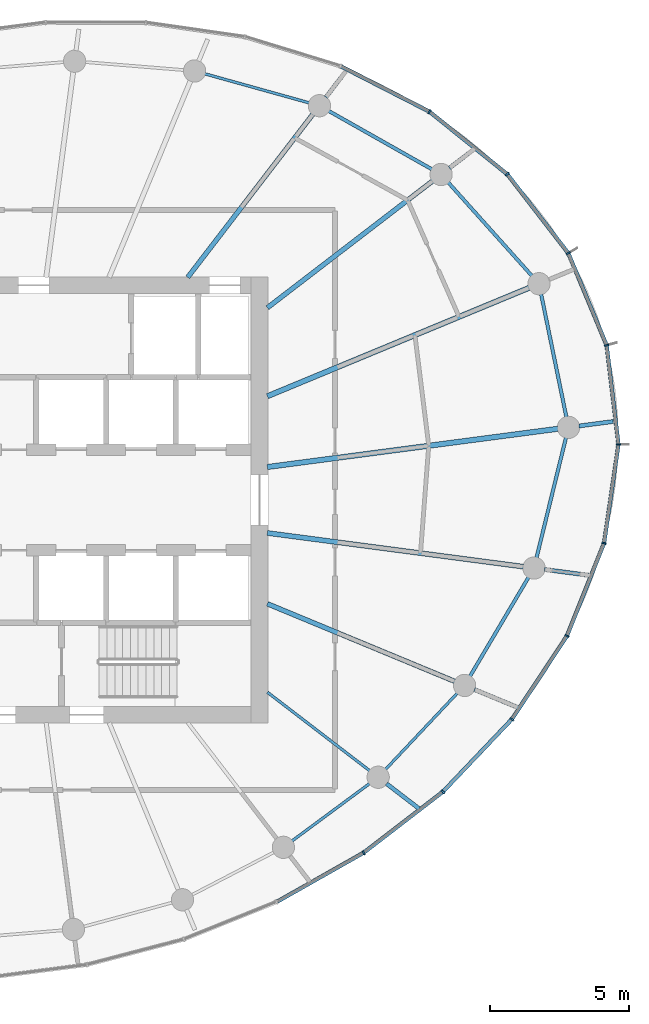
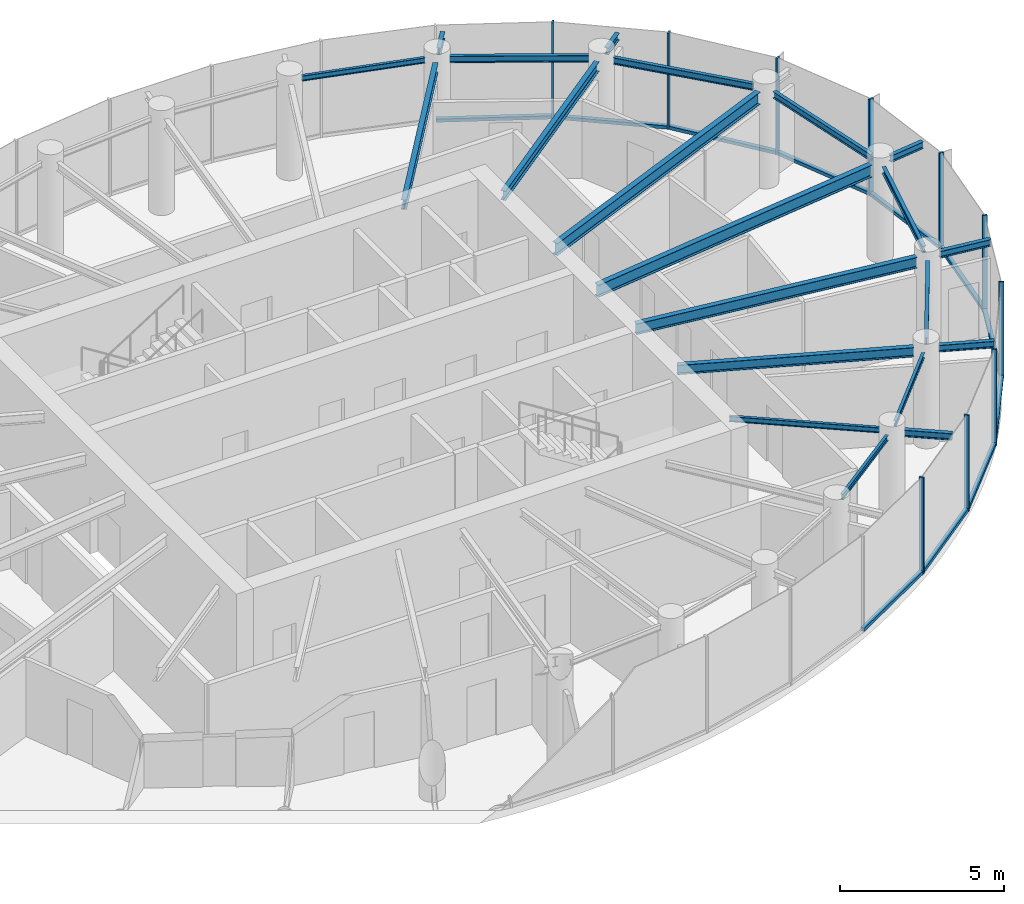
# One storey, part 5 of 13: 21 beams, 21 members, 3 elements without a shape of their own.
"""IFC4 building model written with IfcOpenShell, lengths in metres."""

from ifc_helpers import new_model, si_unit, direction, frame, origin, origin_2d, place, context, subcontext, project, spatial, rectangle, i_section, extrude, source, transform, mapped, material, layer, layer_set, material_profile, profile_set, type_object, element, aggregate, save


model = new_model("IFC4")

# Units and contexts
model_context = context("Model", 3, precision=1e-05, world=origin(), true_north=direction((0.0, 1.0)))
body_context = subcontext(model_context, "Body", "Model", "MODEL_VIEW")
ifc_project = project(units=[si_unit("LENGTHUNIT", "METRE"), si_unit("AREAUNIT", "SQUARE_METRE"), si_unit("VOLUMEUNIT", "CUBIC_METRE"), si_unit("PLANEANGLEUNIT", "RADIAN"), si_unit("MASSUNIT", "GRAM", prefix="KILO")], contexts=[model_context])

# Site, building, storey
site_placement = place(None, origin())
site = spatial("IfcSite", under=ifc_project, at=site_placement, CompositionType="ELEMENT")
building_placement = place(site_placement, origin())
building = spatial("IfcBuilding", under=site, at=building_placement, Name="Spindrift Exchange Tower", CompositionType="ELEMENT")
storey_placement = place(building_placement, frame((0.0, 0.0, 257.89990234375)))
storey = spatial("IfcBuildingStorey", under=building, at=storey_placement, Name="L63", CompositionType="ELEMENT", Elevation=257.89990234375)

# Beams
ifc_material_1 = material(Name="Steel Grade 300", Category="steel")
ifc_material_profile_1 = material_profile(ifc_material_1, i_section(OverallWidth=0.18994140625, OverallDepth=0.4541015625, WebThickness=0.008544921875, FlangeThickness=0.0126953125, FilletRadius=0.013916015625, at=origin_2d()), Name="460UB67.1")
ifc_profile_set_1 = profile_set([ifc_material_profile_1], Name="Steel Grade 300")
beam_type_1 = type_object("IfcBeamType", Name="Floor Beam 460UB67.1 Steel Grade 300", PredefinedType="BEAM", material=ifc_profile_set_1)
shared_shape_1 = source(origin(), body_context, "Body", "SweptSolid", [
    extrude(i_section(OverallWidth=0.18994140625, OverallDepth=0.4541015625, WebThickness=0.008544921875, FlangeThickness=0.0126953125, FilletRadius=0.013916015625, at=origin_2d()), origin(), (0.0, 0.0, 1.0), 10.510009765625),
])
beam_1_placement = place(storey_placement, frame((60.980224609375, 49.182373046875, 3.35302734375), z_axis=(0.991445042488, 0.130524816516, 0.0), x_axis=(-0.130524816516, 0.991445042488, 0.0)))
element("IfcBeam", 1, at=beam_1_placement, inside=storey, type_object=beam_type_1, Name="L63 radial beam R01A", PredefinedType="BEAM", context=body_context, shape_type="MappedRepresentation", body=[
    mapped(shared_shape_1, transform((0.0, 0.0, 0.0), scale=1.0)),
])
shared_shape_2 = source(origin(), body_context, "Body", "SweptSolid", [
    extrude(i_section(OverallWidth=0.18994140625, OverallDepth=0.4541015625, WebThickness=0.008544921875, FlangeThickness=0.0126953125, FilletRadius=0.013916015625, at=origin_2d()), origin(), (0.0, 0.0, 1.0), 10.160400390625),
])
beam_2_placement = place(storey_placement, frame((60.9814453125, 51.72021484375, 3.35302734375), z_axis=(0.923880358773, 0.382681437588, 0.0), x_axis=(-0.382681437588, 0.923880358773, 0.0)))
element("IfcBeam", 2, at=beam_2_placement, inside=storey, type_object=beam_type_1, Name="L63 radial beam R02A", PredefinedType="BEAM", context=body_context, shape_type="MappedRepresentation", body=[
    mapped(shared_shape_2, transform((0.0, 0.0, 0.0), scale=1.0)),
])
ifc_material_profile_2 = material_profile(ifc_material_1, i_section(OverallWidth=0.1708984375, OverallDepth=0.35205078125, WebThickness=0.0068359375, FlangeThickness=0.009765625, FilletRadius=0.013916015625, at=origin_2d()), Name="360UB44.7")
ifc_profile_set_2 = profile_set([ifc_material_profile_2], Name="Steel Grade 300")
beam_type_2 = type_object("IfcBeamType", Name="Floor Beam 360UB44.7 Steel Grade 300", PredefinedType="BEAM", material=ifc_profile_set_2)
shared_shape_3 = source(origin(), body_context, "Body", "SweptSolid", [
    extrude(i_section(OverallWidth=0.1708984375, OverallDepth=0.35205078125, WebThickness=0.0068359375, FlangeThickness=0.009765625, FilletRadius=0.013916015625, at=origin_2d()), origin(), (0.0, 0.0, 1.0), 7.466796875),
])
beam_3_placement = place(storey_placement, frame((60.984130859375, 54.893798828125, 3.404052734375), z_axis=(0.793360004804, 0.608752743548, 0.0), x_axis=(-0.608752743548, 0.793360004804, 0.0)))
element("IfcBeam", 3, at=beam_3_placement, inside=storey, type_object=beam_type_2, Name="L63 radial beam R03A", PredefinedType="BEAM", context=body_context, shape_type="MappedRepresentation", body=[
    mapped(shared_shape_3, transform((0.0, 0.0, 0.0), scale=1.0)),
])
shared_shape_4 = source(origin(), body_context, "Body", "SweptSolid", [
    extrude(i_section(OverallWidth=0.1708984375, OverallDepth=0.35205078125, WebThickness=0.0068359375, FlangeThickness=0.009765625, FilletRadius=0.013916015625, at=origin_2d()), origin(), (0.0, 0.0, 1.0), 7.3740234375),
])
beam_4_placement = place(storey_placement, frame((58.12646484375, 55.984130859375, 3.404052734375), z_axis=(0.608751913917, 0.793360641387, 0.0), x_axis=(-0.793360641387, 0.608751913917, 0.0)))
element("IfcBeam", 4, at=beam_4_placement, inside=storey, type_object=beam_type_2, Name="L63 radial beam R04A", PredefinedType="BEAM", context=body_context, shape_type="MappedRepresentation", body=[
    mapped(shared_shape_4, transform((0.0, 0.0, 0.0), scale=1.0)),
])
ifc_material_profile_3 = material_profile(ifc_material_1, i_section(OverallWidth=0.09912109375, OverallDepth=0.197998046875, WebThickness=0.00439453125, FlangeThickness=0.007080078125, FilletRadius=0.010986328125, at=origin_2d()), Name="200UB18.2")
ifc_profile_set_3 = profile_set([ifc_material_profile_3], Name="Steel Grade 300")
beam_type_3 = type_object("IfcBeamType", Name="Floor Beam 200UB18.2 Steel Grade 300", PredefinedType="BEAM", material=ifc_profile_set_3)
shared_shape_5 = source(origin(), body_context, "Body", "SweptSolid", [
    extrude(i_section(OverallWidth=0.09912109375, OverallDepth=0.197998046875, WebThickness=0.00439453125, FlangeThickness=0.007080078125, FilletRadius=0.010986328125, at=origin_2d()), origin(), (0.0, 0.0, 1.0), 4.622802734375),
])
beam_5_placement = place(storey_placement, frame((60.984130859375, 41.106201171875, 3.481201171875), z_axis=(0.793347882225, -0.608768542033, 0.0), x_axis=(0.608768542033, 0.793347882225, 0.0)))
element("IfcBeam", 5, at=beam_5_placement, inside=storey, type_object=beam_type_3, Name="L63 radial beam R22A", PredefinedType="BEAM", context=body_context, shape_type="MappedRepresentation", body=[
    mapped(shared_shape_5, transform((0.0, 0.0, 0.0), scale=1.0)),
])
shared_shape_6 = source(origin(), body_context, "Body", "SweptSolid", [
    extrude(i_section(OverallWidth=0.1708984375, OverallDepth=0.35205078125, WebThickness=0.0068359375, FlangeThickness=0.009765625, FilletRadius=0.013916015625, at=origin_2d()), origin(), (0.0, 0.0, 1.0), 7.272705078125),
])
beam_6_placement = place(storey_placement, frame((60.9814453125, 44.27978515625, 3.404052734375), z_axis=(0.923874446092, -0.382695711836, 0.0), x_axis=(0.382695711836, 0.923874446092, 0.0)))
element("IfcBeam", 6, at=beam_6_placement, inside=storey, type_object=beam_type_2, Name="L63 radial beam R23A", PredefinedType="BEAM", context=body_context, shape_type="MappedRepresentation", body=[
    mapped(shared_shape_6, transform((0.0, 0.0, 0.0), scale=1.0)),
])
ifc_material_profile_4 = material_profile(ifc_material_1, i_section(OverallWidth=0.177978515625, OverallDepth=0.403076171875, WebThickness=0.007568359375, FlangeThickness=0.010986328125, FilletRadius=0.013916015625, at=origin_2d()), Name="410UB53.7")
ifc_profile_set_4 = profile_set([ifc_material_profile_4], Name="Steel Grade 300")
beam_type_4 = type_object("IfcBeamType", Name="Floor Beam 410UB53.7 Steel Grade 300", PredefinedType="BEAM", material=ifc_profile_set_4)
shared_shape_7 = source(origin(), body_context, "Body", "SweptSolid", [
    extrude(i_section(OverallWidth=0.177978515625, OverallDepth=0.403076171875, WebThickness=0.007568359375, FlangeThickness=0.010986328125, FilletRadius=0.013916015625, at=origin_2d()), origin(), (0.0, 0.0, 1.0), 9.261962890625),
])
beam_7_placement = place(storey_placement, frame((60.980224609375, 46.817626953125, 3.378662109375), z_axis=(0.991447744872, -0.130504288008, 0.0), x_axis=(0.130504288008, 0.991447744872, 0.0)))
element("IfcBeam", 7, at=beam_7_placement, inside=storey, type_object=beam_type_4, Name="L63 radial beam R24A", PredefinedType="BEAM", context=body_context, shape_type="MappedRepresentation", body=[
    mapped(shared_shape_7, transform((0.0, 0.0, 0.0), scale=1.0)),
])
ifc_material_profile_5 = material_profile(ifc_material_1, i_section(OverallWidth=0.1240234375, OverallDepth=0.248046875, WebThickness=0.0048828125, FlangeThickness=0.008056640625, FilletRadius=0.011962890625, at=origin_2d()), Name="250UB25.7")
ifc_profile_set_5 = profile_set([ifc_material_profile_5], Name="Steel Grade 300")
beam_type_5 = type_object("IfcBeamType", Name="Edge Beam 250UB25.7 Steel Grade 300", PredefinedType="SPANDREL", material=ifc_profile_set_5)
shared_shape_8 = source(origin(), body_context, "Body", "SweptSolid", [
    extrude(i_section(OverallWidth=0.1240234375, OverallDepth=0.248046875, WebThickness=0.0048828125, FlangeThickness=0.008056640625, FilletRadius=0.011962890625, at=origin_2d()), origin(), (0.0, 0.0, 1.0), 4.497802734375),
])
beam_8_placement = place(storey_placement, frame((71.700927734375, 50.975830078125, 3.4560546875), z_axis=(-0.201217935785, 0.979546498293, 0.0), x_axis=(-0.979546498293, -0.201217935785, 0.0)))
element("IfcBeam", 8, at=beam_8_placement, inside=storey, type_object=beam_type_5, Name="L63 edge beam E01", PredefinedType="SPANDREL", context=body_context, shape_type="MappedRepresentation", body=[
    mapped(shared_shape_8, transform((0.0, 0.0, 0.0), scale=1.0)),
])
shared_shape_9 = source(origin(), body_context, "Body", "SweptSolid", [
    extrude(i_section(OverallWidth=0.1240234375, OverallDepth=0.248046875, WebThickness=0.0048828125, FlangeThickness=0.008056640625, FilletRadius=0.011962890625, at=origin_2d()), origin(), (0.0, 0.0, 1.0), 4.499755859375),
])
beam_9_placement = place(storey_placement, frame((70.466064453125, 56.036865234375, 3.4560546875), z_axis=(-0.667419502646, 0.744681950558, 0.0), x_axis=(-0.744681950558, -0.667419502646, 0.0)))
element("IfcBeam", 9, at=beam_9_placement, inside=storey, type_object=beam_type_5, Name="L63 edge beam E02", PredefinedType="SPANDREL", context=body_context, shape_type="MappedRepresentation", body=[
    mapped(shared_shape_9, transform((0.0, 0.0, 0.0), scale=1.0)),
])
shared_shape_10 = source(origin(), body_context, "Body", "SweptSolid", [
    extrude(i_section(OverallWidth=0.1240234375, OverallDepth=0.248046875, WebThickness=0.0048828125, FlangeThickness=0.008056640625, FilletRadius=0.011962890625, at=origin_2d()), origin(), (0.0, 0.0, 1.0), 4.2509765625),
])
beam_10_placement = place(storey_placement, frame((66.878662109375, 59.857666015625, 3.4560546875), z_axis=(-0.870615246867, 0.491964523033, 0.0), x_axis=(-0.491964523033, -0.870615246867, 0.0)))
element("IfcBeam", 10, at=beam_10_placement, inside=storey, type_object=beam_type_5, Name="L63 edge beam E03", PredefinedType="SPANDREL", context=body_context, shape_type="MappedRepresentation", body=[
    mapped(shared_shape_10, transform((0.0, 0.0, 0.0), scale=1.0)),
])
ifc_material_profile_6 = material_profile(ifc_material_1, i_section(OverallWidth=0.09912109375, OverallDepth=0.197998046875, WebThickness=0.00439453125, FlangeThickness=0.007080078125, FilletRadius=0.010986328125, at=origin_2d()), Name="200UB18.2")
ifc_profile_set_6 = profile_set([ifc_material_profile_6], Name="Steel Grade 300")
beam_type_6 = type_object("IfcBeamType", Name="Edge Beam 200UB18.2 Steel Grade 300", PredefinedType="SPANDREL", material=ifc_profile_set_6)
shared_shape_11 = source(origin(), body_context, "Body", "SweptSolid", [
    extrude(i_section(OverallWidth=0.09912109375, OverallDepth=0.197998046875, WebThickness=0.00439453125, FlangeThickness=0.007080078125, FilletRadius=0.010986328125, at=origin_2d()), origin(), (0.0, 0.0, 1.0), 3.885498046875),
])
beam_11_placement = place(storey_placement, frame((62.480712890625, 62.238037109375, 3.481201171875), z_axis=(-0.963333134661, 0.268308165482, 0.0), x_axis=(-0.268308165482, -0.963333134661, 0.0)))
element("IfcBeam", 11, at=beam_11_placement, inside=storey, type_object=beam_type_6, Name="L63 edge beam E04", PredefinedType="SPANDREL", context=body_context, shape_type="MappedRepresentation", body=[
    mapped(shared_shape_11, transform((0.0, 0.0, 0.0), scale=1.0)),
])
shared_shape_12 = source(origin(), body_context, "Body", "SweptSolid", [
    extrude(i_section(OverallWidth=0.09912109375, OverallDepth=0.197998046875, WebThickness=0.00439453125, FlangeThickness=0.007080078125, FilletRadius=0.010986328125, at=origin_2d()), origin(), (0.0, 0.0, 1.0), 3.466552734375),
])
beam_12_placement = place(storey_placement, frame((61.861083984375, 35.772705078125, 3.481201171875), z_axis=(0.803854022168, 0.594826622676, 0.0), x_axis=(-0.594826622676, 0.803854022168, 0.0)))
element("IfcBeam", 12, at=beam_12_placement, inside=storey, type_object=beam_type_6, Name="L63 edge beam E21", PredefinedType="SPANDREL", context=body_context, shape_type="MappedRepresentation", body=[
    mapped(shared_shape_12, transform((0.0, 0.0, 0.0), scale=1.0)),
])
shared_shape_13 = source(origin(), body_context, "Body", "SweptSolid", [
    extrude(i_section(OverallWidth=0.09912109375, OverallDepth=0.197998046875, WebThickness=0.00439453125, FlangeThickness=0.007080078125, FilletRadius=0.010986328125, at=origin_2d()), origin(), (0.0, 0.0, 1.0), 3.759765625),
])
beam_13_placement = place(storey_placement, frame((65.213623046875, 38.33740234375, 3.481201171875), z_axis=(0.685520646854, 0.72805318675, 0.0), x_axis=(-0.72805318675, 0.685520646854, 0.0)))
element("IfcBeam", 13, at=beam_13_placement, inside=storey, type_object=beam_type_6, Name="L63 edge beam E22", PredefinedType="SPANDREL", context=body_context, shape_type="MappedRepresentation", body=[
    mapped(shared_shape_13, transform((0.0, 0.0, 0.0), scale=1.0)),
])
shared_shape_14 = source(origin(), body_context, "Body", "SweptSolid", [
    extrude(i_section(OverallWidth=0.1240234375, OverallDepth=0.248046875, WebThickness=0.0048828125, FlangeThickness=0.008056640625, FilletRadius=0.011962890625, at=origin_2d()), origin(), (0.0, 0.0, 1.0), 4.128662109375),
])
beam_14_placement = place(storey_placement, frame((68.244873046875, 41.678466796875, 3.4560546875), z_axis=(0.509067946458, 0.860726336235, 0.0), x_axis=(-0.860726336235, 0.509067946458, 0.0)))
element("IfcBeam", 14, at=beam_14_placement, inside=storey, type_object=beam_type_5, Name="L63 edge beam E23", PredefinedType="SPANDREL", context=body_context, shape_type="MappedRepresentation", body=[
    mapped(shared_shape_14, transform((0.0, 0.0, 0.0), scale=1.0)),
])
shared_shape_15 = source(origin(), body_context, "Body", "SweptSolid", [
    extrude(i_section(OverallWidth=0.1240234375, OverallDepth=0.248046875, WebThickness=0.0048828125, FlangeThickness=0.008056640625, FilletRadius=0.011962890625, at=origin_2d()), origin(), (0.0, 0.0, 1.0), 4.43408203125),
])
beam_15_placement = place(storey_placement, frame((70.630615234375, 45.92822265625, 3.4560546875), z_axis=(0.238193109804, 0.971217814109, 0.0), x_axis=(-0.971217814109, 0.238193109804, 0.0)))
element("IfcBeam", 15, at=beam_15_placement, inside=storey, type_object=beam_type_5, Name="L63 edge beam E24", PredefinedType="SPANDREL", context=body_context, shape_type="MappedRepresentation", body=[
    mapped(shared_shape_15, transform((0.0, 0.0, 0.0), scale=1.0)),
])
ifc_material_profile_7 = material_profile(ifc_material_1, i_section(OverallWidth=0.14599609375, OverallDepth=0.251953125, WebThickness=0.006103515625, FlangeThickness=0.008544921875, FilletRadius=0.011962890625, at=origin_2d()), Name="250UB31.4")
ifc_profile_set_7 = profile_set([ifc_material_profile_7], Name="Steel Grade 300")
beam_type_7 = type_object("IfcBeamType", Name="Cantilever Beam 250UB31.4 Steel Grade 300", PredefinedType="BEAM", material=ifc_profile_set_7)
shared_shape_16 = source(origin(), body_context, "Body", "SweptSolid", [
    extrude(i_section(OverallWidth=0.14599609375, OverallDepth=0.251953125, WebThickness=0.006103515625, FlangeThickness=0.008544921875, FilletRadius=0.011962890625, at=origin_2d()), origin(), (0.0, 0.0, 1.0), 1.233154296875),
])
beam_16_placement = place(storey_placement, frame((72.154052734375, 50.6533203125, 3.4541015625), z_axis=(0.991452947812, 0.130464754914, 0.0), x_axis=(-0.130464754914, 0.991452947812, 0.0)))
element("IfcBeam", 16, at=beam_16_placement, inside=storey, type_object=beam_type_7, Name="L63 cantilever beam R01T", PredefinedType="BEAM", context=body_context, shape_type="MappedRepresentation", body=[
    mapped(shared_shape_16, transform((0.0, 0.0, 0.0), scale=1.0)),
])
shared_shape_17 = source(origin(), body_context, "Body", "SweptSolid", [
    extrude(i_section(OverallWidth=0.14599609375, OverallDepth=0.251953125, WebThickness=0.006103515625, FlangeThickness=0.008544921875, FilletRadius=0.011962890625, at=origin_2d()), origin(), (0.0, 0.0, 1.0), 0.88232421875),
])
beam_17_placement = place(storey_placement, frame((67.510986328125, 59.90185546875, 3.4541015625), z_axis=(0.793209872891, 0.608948353761, 0.0), x_axis=(-0.608948353761, 0.793209872891, 0.0)))
element("IfcBeam", 17, at=beam_17_placement, inside=storey, type_object=beam_type_7, Name="L63 cantilever beam R03T", PredefinedType="BEAM", context=body_context, shape_type="MappedRepresentation", body=[
    mapped(shared_shape_17, transform((0.0, 0.0, 0.0), scale=1.0)),
])
shared_shape_18 = source(origin(), body_context, "Body", "SweptSolid", [
    extrude(i_section(OverallWidth=0.14599609375, OverallDepth=0.251953125, WebThickness=0.006103515625, FlangeThickness=0.008544921875, FilletRadius=0.011962890625, at=origin_2d()), origin(), (0.0, 0.0, 1.0), 0.895263671875),
])
beam_18_placement = place(storey_placement, frame((63.078369140625, 62.4375, 3.4541015625), z_axis=(0.608603261071, 0.793474681772, 0.0), x_axis=(-0.793474681772, 0.608603261071, 0.0)))
element("IfcBeam", 18, at=beam_18_placement, inside=storey, type_object=beam_type_7, Name="L63 cantilever beam R04T", PredefinedType="BEAM", context=body_context, shape_type="MappedRepresentation", body=[
    mapped(shared_shape_18, transform((0.0, 0.0, 0.0), scale=1.0)),
])
shared_shape_19 = source(origin(), body_context, "Body", "SweptSolid", [
    extrude(i_section(OverallWidth=0.14599609375, OverallDepth=0.251953125, WebThickness=0.006103515625, FlangeThickness=0.008544921875, FilletRadius=0.011962890625, at=origin_2d()), origin(), (0.0, 0.0, 1.0), 1.47021484375),
])
beam_19_placement = place(storey_placement, frame((65.25439453125, 37.829345703125, 3.4541015625), z_axis=(0.793376463814, -0.608731292662, 0.0), x_axis=(0.608731292662, 0.793376463814, 0.0)))
element("IfcBeam", 19, at=beam_19_placement, inside=storey, type_object=beam_type_7, Name="L63 cantilever beam R22T", PredefinedType="BEAM", context=body_context, shape_type="MappedRepresentation", body=[
    mapped(shared_shape_19, transform((0.0, 0.0, 0.0), scale=1.0)),
])
shared_shape_20 = source(origin(), body_context, "Body", "SweptSolid", [
    extrude(i_section(OverallWidth=0.14599609375, OverallDepth=0.251953125, WebThickness=0.006103515625, FlangeThickness=0.008544921875, FilletRadius=0.011962890625, at=origin_2d()), origin(), (0.0, 0.0, 1.0), 1.709228515625),
])
beam_20_placement = place(storey_placement, frame((68.402587890625, 41.205810546875, 3.4541015625), z_axis=(0.923886265288, -0.382667177599, 0.0), x_axis=(0.382667177599, 0.923886265288, 0.0)))
element("IfcBeam", 20, at=beam_20_placement, inside=storey, type_object=beam_type_7, Name="L63 cantilever beam R23T", PredefinedType="BEAM", context=body_context, shape_type="MappedRepresentation", body=[
    mapped(shared_shape_20, transform((0.0, 0.0, 0.0), scale=1.0)),
])
shared_shape_21 = source(origin(), body_context, "Body", "SweptSolid", [
    extrude(i_section(OverallWidth=0.14599609375, OverallDepth=0.251953125, WebThickness=0.006103515625, FlangeThickness=0.008544921875, FilletRadius=0.011962890625, at=origin_2d()), origin(), (0.0, 0.0, 1.0), 1.682861328125),
])
beam_21_placement = place(storey_placement, frame((70.916748046875, 45.509521484375, 3.4541015625), z_axis=(0.991439475548, -0.130567095112, 0.0), x_axis=(0.130567095112, 0.991439475548, 0.0)))
element("IfcBeam", 21, at=beam_21_placement, inside=storey, type_object=beam_type_7, Name="L63 cantilever beam R24T", PredefinedType="BEAM", context=body_context, shape_type="MappedRepresentation", body=[
    mapped(shared_shape_21, transform((0.0, 0.0, 0.0), scale=1.0)),
])

# Curtain wall, members
ifc_material_2 = material(Name="Fritted laminated glass with bronze frame", Category="glass")
ifc_layer = layer(ifc_material_2, 0.159912109375)
ifc_layer_set = layer_set([ifc_layer], Name="ZONE 5 BRONZE FRITTED WALL")
curtain_wall_type = type_object("IfcCurtainWallType", Name="ZONE 5 BRONZE FRITTED WALL", PredefinedType="NOTDEFINED", material=ifc_layer_set)
curtain_wall_1_placement = place(storey_placement, origin())
curtain_wall_1 = element("IfcCurtainWall", 22, at=curtain_wall_1_placement, inside=storey, type_object=curtain_wall_type, Name="L63 Zone 5 Bronze Fritted Wall run 1", PredefinedType="NOTDEFINED")
ifc_material_3 = material(Name="Bronze anodised aluminium", Category="aluminium")
ifc_material_profile_8 = material_profile(ifc_material_3, rectangle(XDim=0.06005859375, YDim=0.159912109375, at=origin_2d()), Name="ZONE 5 BRONZE FRITTED WALL MULLION 60X160")
ifc_profile_set_8 = profile_set([ifc_material_profile_8], Name="Bronze anodised aluminium")
member_type_1 = type_object("IfcMemberType", Name="ZONE 5 BRONZE FRITTED WALL MULLION 60X160", PredefinedType="MULLION", material=ifc_profile_set_8)
shared_shape_22 = source(origin(), body_context, "Body", "SweptSolid", [
    extrude(rectangle(XDim=0.06005859375, YDim=0.159912109375, at=origin_2d()), origin(), (0.0, 0.0, 1.0), 3.580078125),
])
member_1_placement = place(storey_placement, frame((73.144287109375, 53.545654296875, 0.0), z_axis=(0.0, 0.0, 1.0), x_axis=(-0.253690954147, 0.967285324909, 0.0)))
member_1 = element("IfcMember", 23, at=member_1_placement, type_object=member_type_1, Name="L63 mullion CW-5.1", PredefinedType="MULLION", context=body_context, shape_type="MappedRepresentation", body=[
    mapped(shared_shape_22, transform((0.0, 0.0, 0.0), scale=1.0)),
])
member_2_placement = place(storey_placement, frame((71.7705078125, 56.848876953125, 0.0), z_axis=(0.0, 0.0, 1.0), x_axis=(-0.502108330094, 0.864804732208, 0.0)))
member_2 = element("IfcMember", 24, at=member_2_placement, type_object=member_type_1, Name="L63 mullion CW-5.2", PredefinedType="MULLION", context=body_context, shape_type="MappedRepresentation", body=[
    mapped(shared_shape_22, transform((0.0, 0.0, 0.0), scale=1.0)),
])
member_3_placement = place(storey_placement, frame((69.581787109375, 59.680908203125, 0.0), z_axis=(0.0, 0.0, 1.0), x_axis=(-0.700241766893, 0.713905783629, 0.0)))
member_3 = element("IfcMember", 25, at=member_3_placement, type_object=member_type_1, Name="L63 mullion CW-5.3", PredefinedType="MULLION", context=body_context, shape_type="MappedRepresentation", body=[
    mapped(shared_shape_22, transform((0.0, 0.0, 0.0), scale=1.0)),
])
member_4_placement = place(storey_placement, frame((66.790771484375, 61.92529296875, 0.0), z_axis=(0.0, 0.0, 1.0), x_axis=(-0.838988185379, 0.544149634562, 0.0)))
member_4 = element("IfcMember", 26, at=member_4_placement, type_object=member_type_1, Name="L63 mullion CW-5.4", PredefinedType="MULLION", context=body_context, shape_type="MappedRepresentation", body=[
    mapped(shared_shape_22, transform((0.0, 0.0, 0.0), scale=1.0)),
])

curtain_wall_2_placement = place(storey_placement, origin())
curtain_wall_2 = element("IfcCurtainWall", 27, at=curtain_wall_2_placement, inside=storey, type_object=curtain_wall_type, Name="L63 Zone 5 Bronze Fritted Wall run 5", PredefinedType="NOTDEFINED")
member_5_placement = place(storey_placement, frame((64.43212890625, 35.353759765625, 0.0), z_axis=(0.0, 0.0, 1.0), x_axis=(0.833519730544, 0.552489691119, 0.0)))
member_5 = element("IfcMember", 28, at=member_5_placement, type_object=member_type_1, Name="L63 mullion CW-5.29", PredefinedType="MULLION", context=body_context, shape_type="MappedRepresentation", body=[
    mapped(shared_shape_22, transform((0.0, 0.0, 0.0), scale=1.0)),
])
member_6_placement = place(storey_placement, frame((67.2744140625, 37.53955078125, 0.0), z_axis=(0.0, 0.0, 1.0), x_axis=(0.743132174061, 0.669144656913, 0.0)))
member_6 = element("IfcMember", 29, at=member_6_placement, type_object=member_type_1, Name="L63 mullion CW-5.30", PredefinedType="MULLION", context=body_context, shape_type="MappedRepresentation", body=[
    mapped(shared_shape_22, transform((0.0, 0.0, 0.0), scale=1.0)),
])

curtain_wall_3_placement = place(storey_placement, origin())
curtain_wall_3 = element("IfcCurtainWall", 30, at=curtain_wall_3_placement, inside=storey, type_object=curtain_wall_type, Name="L63 Zone 5 Bronze Fritted Wall run 6", PredefinedType="NOTDEFINED")
member_7_placement = place(storey_placement, frame((69.74462890625, 40.13720703125, 0.0), z_axis=(0.0, 0.0, 1.0), x_axis=(0.622768651185, 0.782406037234, 0.0)))
member_7 = element("IfcMember", 31, at=member_7_placement, type_object=member_type_1, Name="L63 mullion CW-5.31", PredefinedType="MULLION", context=body_context, shape_type="MappedRepresentation", body=[
    mapped(shared_shape_22, transform((0.0, 0.0, 0.0), scale=1.0)),
])
member_8_placement = place(storey_placement, frame((71.72119140625, 43.126220703125, 0.0), z_axis=(0.0, 0.0, 1.0), x_axis=(0.463936035992, 0.88586870049, 0.0)))
member_8 = element("IfcMember", 32, at=member_8_placement, type_object=member_type_1, Name="L63 mullion CW-5.32", PredefinedType="MULLION", context=body_context, shape_type="MappedRepresentation", body=[
    mapped(shared_shape_22, transform((0.0, 0.0, 0.0), scale=1.0)),
])
member_9_placement = place(storey_placement, frame((73.0517578125, 46.451416015625, 0.0), z_axis=(0.0, 0.0, 1.0), x_axis=(0.259723119514, 0.965683126698, 0.0)))
member_9 = element("IfcMember", 33, at=member_9_placement, type_object=member_type_1, Name="L63 mullion CW-5.33", PredefinedType="MULLION", context=body_context, shape_type="MappedRepresentation", body=[
    mapped(shared_shape_22, transform((0.0, 0.0, 0.0), scale=1.0)),
])
member_10_placement = place(storey_placement, frame((73.568603515625, 49.993408203125, 0.0), z_axis=(0.0, 0.0, 1.0), x_axis=(0.013033112617, 0.999915065381, 0.0)))
member_10 = element("IfcMember", 34, at=member_10_placement, type_object=member_type_1, Name="L63 mullion CW-5.34", PredefinedType="MULLION", context=body_context, shape_type="MappedRepresentation", body=[
    mapped(shared_shape_22, transform((0.0, 0.0, 0.0), scale=1.0)),
])

# Member
ifc_material_profile_9 = material_profile(ifc_material_3, rectangle(XDim=0.139892578125, YDim=0.1201171875, at=origin_2d()), Name="ZONE 5 BRONZE FRITTED WALL TRANSOM 140X120")
ifc_profile_set_9 = profile_set([ifc_material_profile_9], Name="Bronze anodised aluminium")
member_type_2 = type_object("IfcMemberType", Name="ZONE 5 BRONZE FRITTED WALL TRANSOM 140X120", PredefinedType="USERDEFINED", material=ifc_profile_set_9)
shared_shape_23 = source(origin(), body_context, "Body", "SweptSolid", [
    extrude(rectangle(XDim=0.139892578125, YDim=0.1201171875, at=origin_2d()), origin(), (0.0, 0.0, 1.0), 3.52587890625),
])
member_11_placement = place(storey_placement, frame((61.337646484375, 33.60205078125, 0.06005859375), z_axis=(0.87022605037, 0.492652637522, 0.0), x_axis=(-0.492652637522, 0.87022605037, 0.0)))
member_11 = element("IfcMember", 35, at=member_11_placement, type_object=member_type_2, Name="L63 transom CW-5.28", ObjectType="TRANSOM", PredefinedType="USERDEFINED", context=body_context, shape_type="MappedRepresentation", body=[
    mapped(shared_shape_23, transform((0.0, 0.0, 0.0), scale=1.0)),
])

shared_shape_24 = source(origin(), body_context, "Body", "SweptSolid", [
    extrude(rectangle(XDim=0.139892578125, YDim=0.1201171875, at=origin_2d()), origin(), (0.0, 0.0, 1.0), 3.525390625),
])
member_12_placement = place(storey_placement, frame((64.4560546875, 35.3720703125, 0.06005859375), z_axis=(0.792703787051, 0.60960700947, 0.0), x_axis=(-0.60960700947, 0.792703787051, 0.0)))
member_12 = element("IfcMember", 36, at=member_12_placement, type_object=member_type_2, Name="L63 transom CW-5.29", ObjectType="TRANSOM", PredefinedType="USERDEFINED", context=body_context, shape_type="MappedRepresentation", body=[
    mapped(shared_shape_24, transform((0.0, 0.0, 0.0), scale=1.0)),
])

shared_shape_25 = source(origin(), body_context, "Body", "SweptSolid", [
    extrude(rectangle(XDim=0.139892578125, YDim=0.1201171875, at=origin_2d()), origin(), (0.0, 0.0, 1.0), 3.524658203125),
])
member_13_placement = place(storey_placement, frame((67.295166015625, 37.561279296875, 0.06005859375), z_axis=(0.689117087437, 0.724650011938, 0.0), x_axis=(-0.724650011938, 0.689117087437, 0.0)))
member_13 = element("IfcMember", 37, at=member_13_placement, type_object=member_type_2, Name="L63 transom CW-5.30", ObjectType="TRANSOM", PredefinedType="USERDEFINED", context=body_context, shape_type="MappedRepresentation", body=[
    mapped(shared_shape_25, transform((0.0, 0.0, 0.0), scale=1.0)),
])

aggregate(curtain_wall_2, [member_11, member_5, member_12, member_6, member_13])

shared_shape_26 = source(origin(), body_context, "Body", "SweptSolid", [
    extrude(rectangle(XDim=0.139892578125, YDim=0.1201171875, at=origin_2d()), origin(), (0.0, 0.0, 1.0), 3.521484375),
])
member_14_placement = place(storey_placement, frame((69.55859375, 59.69970703125, 0.06005859375), z_axis=(-0.779303974993, 0.626646083975, 0.0), x_axis=(-0.626646083975, -0.779303974993, 0.0)))
member_14 = element("IfcMember", 38, at=member_14_placement, type_object=member_type_2, Name="L63 transom CW-5.3", ObjectType="TRANSOM", PredefinedType="USERDEFINED", context=body_context, shape_type="MappedRepresentation", body=[
    mapped(shared_shape_26, transform((0.0, 0.0, 0.0), scale=1.0)),
])

member_15_placement = place(storey_placement, frame((71.732421875, 43.154052734375, 0.06005859375), z_axis=(0.37146239444, 0.928448000438, 0.0), x_axis=(-0.928448000438, 0.37146239444, 0.0)))
member_15 = element("IfcMember", 39, at=member_15_placement, type_object=member_type_2, Name="L63 transom CW-5.32", ObjectType="TRANSOM", PredefinedType="USERDEFINED", context=body_context, shape_type="MappedRepresentation", body=[
    mapped(shared_shape_26, transform((0.0, 0.0, 0.0), scale=1.0)),
])

shared_shape_27 = source(origin(), body_context, "Body", "SweptSolid", [
    extrude(rectangle(XDim=0.139892578125, YDim=0.1201171875, at=origin_2d()), origin(), (0.0, 0.0, 1.0), 3.519287109375),
])
member_16_placement = place(storey_placement, frame((71.752197265625, 56.87255859375, 0.06005859375), z_axis=(-0.611459347478, 0.791275847213, 0.0), x_axis=(-0.791275847213, -0.611459347478, 0.0)))
member_16 = element("IfcMember", 40, at=member_16_placement, type_object=member_type_2, Name="L63 transom CW-5.2", ObjectType="TRANSOM", PredefinedType="USERDEFINED", context=body_context, shape_type="MappedRepresentation", body=[
    mapped(shared_shape_27, transform((0.0, 0.0, 0.0), scale=1.0)),
])

member_17_placement = place(storey_placement, frame((73.05615234375, 46.481201171875, 0.06005859375), z_axis=(0.144363499116, 0.989524724362, 0.0), x_axis=(-0.989524724362, 0.144363499116, 0.0)))
member_17 = element("IfcMember", 41, at=member_17_placement, type_object=member_type_2, Name="L63 transom CW-5.33", ObjectType="TRANSOM", PredefinedType="USERDEFINED", context=body_context, shape_type="MappedRepresentation", body=[
    mapped(shared_shape_27, transform((0.0, 0.0, 0.0), scale=1.0)),
])

shared_shape_28 = source(origin(), body_context, "Body", "SweptSolid", [
    extrude(rectangle(XDim=0.139892578125, YDim=0.1201171875, at=origin_2d()), origin(), (0.0, 0.0, 1.0), 3.523193359375),
])
member_18_placement = place(storey_placement, frame((69.76123046875, 40.162353515625, 0.06005859375), z_axis=(0.551642233254, 0.834080839302, 0.0), x_axis=(-0.834080839302, 0.551642233254, 0.0)))
member_18 = element("IfcMember", 42, at=member_18_placement, type_object=member_type_2, Name="L63 transom CW-5.31", ObjectType="TRANSOM", PredefinedType="USERDEFINED", context=body_context, shape_type="MappedRepresentation", body=[
    mapped(shared_shape_28, transform((0.0, 0.0, 0.0), scale=1.0)),
])

shared_shape_29 = source(origin(), body_context, "Body", "SweptSolid", [
    extrude(rectangle(XDim=0.139892578125, YDim=0.1201171875, at=origin_2d()), origin(), (0.0, 0.0, 1.0), 3.5234375),
])
member_19_placement = place(storey_placement, frame((66.76416015625, 61.93896484375, 0.06005859375), z_axis=(-0.889976839701, 0.456005728906, 0.0), x_axis=(-0.456005728906, -0.889976839701, 0.0)))
member_19 = element("IfcMember", 43, at=member_19_placement, type_object=member_type_2, Name="L63 transom CW-5.4", ObjectType="TRANSOM", PredefinedType="USERDEFINED", context=body_context, shape_type="MappedRepresentation", body=[
    mapped(shared_shape_29, transform((0.0, 0.0, 0.0), scale=1.0)),
])

shared_shape_30 = source(origin(), body_context, "Body", "SweptSolid", [
    extrude(rectangle(XDim=0.139892578125, YDim=0.1201171875, at=origin_2d()), origin(), (0.0, 0.0, 1.0), 3.517578125),
])
member_20_placement = place(storey_placement, frame((73.1328125, 53.5732421875, 0.06005859375), z_axis=(-0.384028838515, 0.923321098637, 0.0), x_axis=(-0.923321098637, -0.384028838515, 0.0)))
member_20 = element("IfcMember", 44, at=member_20_placement, type_object=member_type_2, Name="L63 transom CW-5.1", ObjectType="TRANSOM", PredefinedType="USERDEFINED", context=body_context, shape_type="MappedRepresentation", body=[
    mapped(shared_shape_30, transform((0.0, 0.0, 0.0), scale=1.0)),
])

aggregate(curtain_wall_1, [member_1, member_20, member_2, member_16, member_3, member_14, member_4, member_19])

member_21_placement = place(storey_placement, frame((73.56494140625, 50.023193359375, 0.06005859375), z_axis=(-0.118548554606, 0.992948256558, 0.0), x_axis=(-0.992948256558, -0.118548554606, 0.0)))
member_21 = element("IfcMember", 45, at=member_21_placement, type_object=member_type_2, Name="L63 transom CW-5.34", ObjectType="TRANSOM", PredefinedType="USERDEFINED", context=body_context, shape_type="MappedRepresentation", body=[
    mapped(shared_shape_30, transform((0.0, 0.0, 0.0), scale=1.0)),
])

aggregate(curtain_wall_3, [member_7, member_18, member_8, member_15, member_9, member_17, member_10, member_21])

save(model, "model.ifc")
